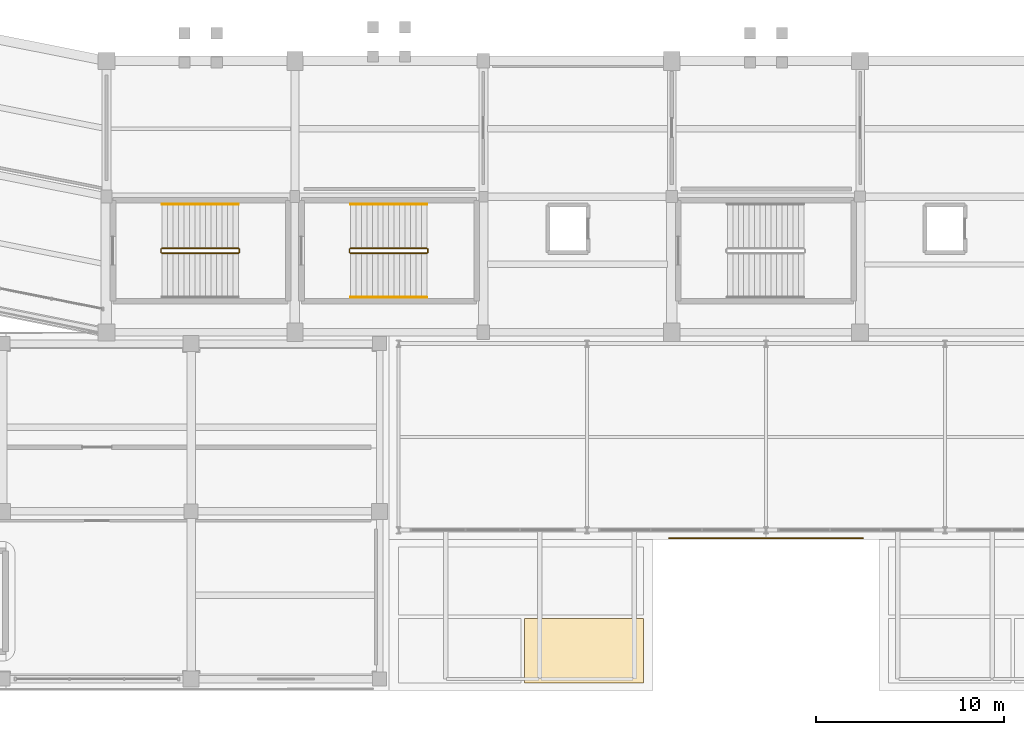
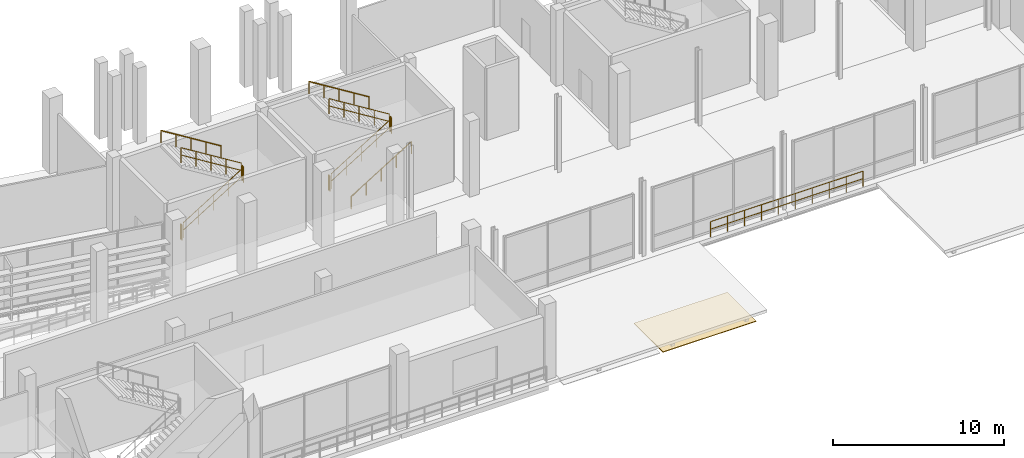
# One storey, part 95 of 114: 12 railings, 1 covering.
"""IFC4 building model written with IfcOpenShell, lengths in metres."""

from ifc_helpers import new_model, si_unit, direction, frame, origin, origin_2d, place, context, subcontext, project, spatial, polyline, circle, outline, extrude, material, layer, layer_set, type_object, element, save


model = new_model("IFC4")

# Units and contexts
model_context = context("Model", 3, precision=1e-05, world=origin(), true_north=direction((0.0, 1.0)))
body_context = subcontext(model_context, "Body", "Model", "MODEL_VIEW")
ifc_project = project(units=[si_unit("LENGTHUNIT", "METRE"), si_unit("AREAUNIT", "SQUARE_METRE"), si_unit("VOLUMEUNIT", "CUBIC_METRE"), si_unit("PLANEANGLEUNIT", "RADIAN"), si_unit("MASSUNIT", "GRAM", prefix="KILO")], contexts=[model_context])

# Site, building, storey
site_placement = place(None, origin())
site = spatial("IfcSite", under=ifc_project, at=site_placement, CompositionType="ELEMENT")
building_placement = place(site_placement, origin())
building = spatial("IfcBuilding", under=site, at=building_placement, Name="Candeia Ridge Stadium", CompositionType="ELEMENT")
storey_placement = place(building_placement, frame((0.0, 0.0, 5.39990234375)))
storey = spatial("IfcBuildingStorey", under=building, at=storey_placement, Name="L01", CompositionType="ELEMENT", Elevation=5.39990234375)

# Railings
ifc_material_1 = material(Name="Galvanized Powder-Coated Steel", Category="steel")
ifc_layer_1 = layer(ifc_material_1, 0.074951171875, Name="Galvanized Powder-Coated Steel", Category="steel")
ifc_layer_set_1 = layer_set([ifc_layer_1], Name="Galvanized Powder-Coated Steel")
railing_type_1 = type_object("IfcRailingType", Name="Spectator Bowl Front Guardrail 1120", PredefinedType="GUARDRAIL", material=ifc_layer_set_1)
railing_1_placement = place(storey_placement, frame((111.14990234375, 8.080078125, 0.0)))
element("IfcRailing", 1, at=railing_1_placement, inside=storey, type_object=railing_type_1, Name="Deck edge safety guardrail GR-DE-L01-0015", PredefinedType="GUARDRAIL", context=body_context, shape_type="SweptSolid", body=[
    extrude(circle(Radius=0.02392578125, at=origin_2d()), frame((0.0, 0.0, 1.09619140625), z_axis=(-1.0, 0.0, 0.0), x_axis=(0.0, -1.0, 0.0)), (0.0, 0.0, 1.0), 10.2998046875),
    extrude(circle(Radius=0.02392578125, at=origin_2d()), frame((0.0, 0.0, 0.56005859375), z_axis=(-1.0, 0.0, 0.0), x_axis=(0.0, -1.0, 0.0)), (0.0, 0.0, 1.0), 10.2998046875),
    extrude(circle(Radius=0.02099609375, at=origin_2d()), origin(), (0.0, 0.0, 1.0), 1.072021484375),
    extrude(circle(Radius=0.02099609375, at=origin_2d()), frame((-1.14453125, 0.0, 0.0)), (0.0, 0.0, 1.0), 1.072021484375),
    extrude(circle(Radius=0.02099609375, at=origin_2d()), frame((-2.288818359375, 0.0, 0.0)), (0.0, 0.0, 1.0), 1.072021484375),
    extrude(circle(Radius=0.02099609375, at=origin_2d()), frame((-3.433349609375, 0.0, 0.0)), (0.0, 0.0, 1.0), 1.072021484375),
    extrude(circle(Radius=0.02099609375, at=origin_2d()), frame((-4.57763671875, 0.0, 0.0)), (0.0, 0.0, 1.0), 1.072021484375),
    extrude(circle(Radius=0.02099609375, at=origin_2d()), frame((-5.72216796875, 0.0, 0.0)), (0.0, 0.0, 1.0), 1.072021484375),
    extrude(circle(Radius=0.02099609375, at=origin_2d()), frame((-6.866455078125, 0.0, 0.0)), (0.0, 0.0, 1.0), 1.072021484375),
    extrude(circle(Radius=0.02099609375, at=origin_2d()), frame((-8.010986328125, 0.0, 0.0)), (0.0, 0.0, 1.0), 1.072021484375),
    extrude(circle(Radius=0.02099609375, at=origin_2d()), frame((-9.1552734375, 0.0, 0.0)), (0.0, 0.0, 1.0), 1.072021484375),
    extrude(circle(Radius=0.02099609375, at=origin_2d()), frame((-10.2998046875, 0.0, 0.0)), (0.0, 0.0, 1.0), 1.072021484375),
])
ifc_material_2 = material(Name="Brushed Stainless Steel", Category="steel")
ifc_layer_2 = layer(ifc_material_2, 0.048095703125, Name="Brushed Stainless Steel", Category="steel")
ifc_layer_set_2 = layer_set([ifc_layer_2], Name="Brushed Stainless Steel")
railing_type_2 = type_object("IfcRailingType", Name="Stair Wall & Flight Handrail 900", PredefinedType="HANDRAIL", material=ifc_layer_set_2)
railing_2_placement = place(storey_placement, frame((78.010009765625, 25.800048828125, 2.880126953125)))
element("IfcRailing", 2, at=railing_2_placement, inside=storey, type_object=railing_type_2, Name="L01 ST02 stair handrail 2", PredefinedType="HANDRAIL", context=body_context, shape_type="SweptSolid", body=[
    extrude(circle(Radius=0.02392578125, at=origin_2d()), frame((0.0, 0.0, 0.8759765625), z_axis=(-0.849641744969, 0.0, 0.527360318194), x_axis=(0.0, -1.0, 0.0)), (0.0, 0.0, 1.0), 4.778564453125),
    extrude(circle(Radius=0.02099609375, at=origin_2d()), origin(), (0.0, 0.0, 1.0), 0.851806640625),
    extrude(circle(Radius=0.02099609375, at=origin_2d()), frame((-1.01513671875, 0.0, 0.6298828125)), (0.0, 0.0, 1.0), 0.851806640625),
    extrude(circle(Radius=0.02099609375, at=origin_2d()), frame((-2.030029296875, 0.0, 1.260009765625)), (0.0, 0.0, 1.0), 0.851806640625),
    extrude(circle(Radius=0.02099609375, at=origin_2d()), frame((-3.044921875, 0.0, 1.89013671875)), (0.0, 0.0, 1.0), 0.851806640625),
    extrude(circle(Radius=0.02099609375, at=origin_2d()), frame((-4.06005859375, 0.0, 2.52001953125)), (0.0, 0.0, 1.0), 0.851806640625),
])
railing_3_placement = place(storey_placement, frame((83.949951171875, 20.85009765625, 0.18017578125)))
element("IfcRailing", 3, at=railing_3_placement, inside=storey, type_object=railing_type_2, Name="L01 ST11 stair handrail 1", PredefinedType="HANDRAIL", context=body_context, shape_type="SweptSolid", body=[
    extrude(circle(Radius=0.02392578125, at=origin_2d()), frame((0.0, 0.0, 0.8759765625), z_axis=(0.849641744969, 0.0, 0.527360318194), x_axis=(0.0, 1.0, 0.0)), (0.0, 0.0, 1.0), 4.778564453125),
    extrude(circle(Radius=0.02099609375, at=origin_2d()), origin(), (0.0, 0.0, 1.0), 0.851806640625),
    extrude(circle(Radius=0.02099609375, at=origin_2d()), frame((1.01513671875, 0.0, 0.6298828125)), (0.0, 0.0, 1.0), 0.851806640625),
    extrude(circle(Radius=0.02099609375, at=origin_2d()), frame((2.030029296875, 0.0, 1.260009765625)), (0.0, 0.0, 1.0), 0.851806640625),
    extrude(circle(Radius=0.02099609375, at=origin_2d()), frame((3.044921875, 0.0, 1.89013671875)), (0.0, 0.0, 1.0), 0.851806640625),
    extrude(circle(Radius=0.02099609375, at=origin_2d()), frame((4.06005859375, 0.0, 2.52001953125)), (0.0, 0.0, 1.0), 0.851806640625),
])
railing_4_placement = place(storey_placement, frame((88.010009765625, 25.800048828125, 2.880126953125)))
element("IfcRailing", 4, at=railing_4_placement, inside=storey, type_object=railing_type_2, Name="L01 ST11 stair handrail 2", PredefinedType="HANDRAIL", context=body_context, shape_type="SweptSolid", body=[
    extrude(circle(Radius=0.02392578125, at=origin_2d()), frame((0.0, 0.0, 0.8759765625), z_axis=(-0.849641744969, 0.0, 0.527360318194), x_axis=(0.0, -1.0, 0.0)), (0.0, 0.0, 1.0), 4.778564453125),
    extrude(circle(Radius=0.02099609375, at=origin_2d()), origin(), (0.0, 0.0, 1.0), 0.851806640625),
    extrude(circle(Radius=0.02099609375, at=origin_2d()), frame((-1.01513671875, 0.0, 0.6298828125)), (0.0, 0.0, 1.0), 0.851806640625),
    extrude(circle(Radius=0.02099609375, at=origin_2d()), frame((-2.030029296875, 0.0, 1.260009765625)), (0.0, 0.0, 1.0), 0.851806640625),
    extrude(circle(Radius=0.02099609375, at=origin_2d()), frame((-3.044921875, 0.0, 1.89013671875)), (0.0, 0.0, 1.0), 0.851806640625),
    extrude(circle(Radius=0.02099609375, at=origin_2d()), frame((-4.06005859375, 0.0, 2.52001953125)), (0.0, 0.0, 1.0), 0.851806640625),
])
ifc_layer_3 = layer(ifc_material_1, 0.06005859375, Name="Galvanized Powder-Coated Steel", Category="steel")
ifc_layer_set_3 = layer_set([ifc_layer_3], Name="Galvanized Powder-Coated Steel")
railing_type_3 = type_object("IfcRailingType", Name="Stair Well Guardrail 1100", PredefinedType="GUARDRAIL", material=ifc_layer_set_3)
railing_5_placement = place(storey_placement, frame((73.949951171875, 23.199951171875, 0.18017578125)))
element("IfcRailing", 5, at=railing_5_placement, inside=storey, type_object=railing_type_3, Name="L01 ST02 stair guard 1", PredefinedType="GUARDRAIL", context=body_context, shape_type="SweptSolid", body=[
    extrude(circle(Radius=0.02392578125, at=origin_2d()), frame((0.0, 0.0, 1.076171875), z_axis=(0.849641744969, 0.0, 0.527360318194), x_axis=(0.0, 1.0, 0.0)), (0.0, 0.0, 1.0), 4.778564453125),
    extrude(circle(Radius=0.02392578125, at=origin_2d()), frame((0.0, 0.0, 0.550048828125), z_axis=(0.849641744969, 0.0, 0.527360318194), x_axis=(0.0, 1.0, 0.0)), (0.0, 0.0, 1.0), 4.778564453125),
    extrude(circle(Radius=0.02099609375, at=origin_2d()), origin(), (0.0, 0.0, 1.0), 1.052001953125),
    extrude(circle(Radius=0.02099609375, at=origin_2d()), frame((1.01513671875, 0.0, 0.6298828125)), (0.0, 0.0, 1.0), 1.052001953125),
    extrude(circle(Radius=0.02099609375, at=origin_2d()), frame((2.030029296875, 0.0, 1.260009765625)), (0.0, 0.0, 1.0), 1.052001953125),
    extrude(circle(Radius=0.02099609375, at=origin_2d()), frame((3.044921875, 0.0, 1.89013671875)), (0.0, 0.0, 1.0), 1.052001953125),
    extrude(circle(Radius=0.02099609375, at=origin_2d()), frame((4.06005859375, 0.0, 2.52001953125)), (0.0, 0.0, 1.0), 1.052001953125),
])
railing_6_placement = place(storey_placement, frame((78.06005859375, 23.25, 2.7001953125)))
element("IfcRailing", 6, at=railing_6_placement, inside=storey, type_object=railing_type_3, Name="L01 ST02 stair guard 2", PredefinedType="GUARDRAIL", context=body_context, shape_type="SweptSolid", body=[
    extrude(circle(Radius=0.02392578125, at=origin_2d()), frame((0.0, 0.0, 1.076171875), z_axis=(0.0, 1.0, 0.0), x_axis=(-1.0, 0.0, 0.0)), (0.0, 0.0, 1.0), 0.14990234375),
    extrude(circle(Radius=0.02392578125, at=origin_2d()), frame((0.0, 0.0, 0.550048828125), z_axis=(0.0, 1.0, 0.0), x_axis=(-1.0, 0.0, 0.0)), (0.0, 0.0, 1.0), 0.14990234375),
    extrude(circle(Radius=0.02099609375, at=origin_2d()), origin(), (0.0, 0.0, 1.0), 1.052001953125),
    extrude(circle(Radius=0.02099609375, at=origin_2d()), frame((0.0, 0.14990234375, 0.0)), (0.0, 0.0, 1.0), 1.052001953125),
])
railing_7_placement = place(storey_placement, frame((78.010009765625, 23.449951171875, 2.880126953125)))
element("IfcRailing", 7, at=railing_7_placement, inside=storey, type_object=railing_type_3, Name="L01 ST02 stair guard 3", PredefinedType="GUARDRAIL", context=body_context, shape_type="SweptSolid", body=[
    extrude(circle(Radius=0.02392578125, at=origin_2d()), frame((0.0, 0.0, 1.076171875), z_axis=(-0.849641744969, 0.0, 0.527360318194), x_axis=(0.0, -1.0, 0.0)), (0.0, 0.0, 1.0), 4.778564453125),
    extrude(circle(Radius=0.02392578125, at=origin_2d()), frame((0.0, 0.0, 0.550048828125), z_axis=(-0.849641744969, 0.0, 0.527360318194), x_axis=(0.0, -1.0, 0.0)), (0.0, 0.0, 1.0), 4.778564453125),
    extrude(circle(Radius=0.02099609375, at=origin_2d()), origin(), (0.0, 0.0, 1.0), 1.052001953125),
    extrude(circle(Radius=0.02099609375, at=origin_2d()), frame((-1.01513671875, 0.0, 0.6298828125)), (0.0, 0.0, 1.0), 1.052001953125),
    extrude(circle(Radius=0.02099609375, at=origin_2d()), frame((-2.030029296875, 0.0, 1.260009765625)), (0.0, 0.0, 1.0), 1.052001953125),
    extrude(circle(Radius=0.02099609375, at=origin_2d()), frame((-3.044921875, 0.0, 1.89013671875)), (0.0, 0.0, 1.0), 1.052001953125),
    extrude(circle(Radius=0.02099609375, at=origin_2d()), frame((-4.06005859375, 0.0, 2.52001953125)), (0.0, 0.0, 1.0), 1.052001953125),
])
railing_8_placement = place(storey_placement, frame((73.89990234375, 23.25, 0.0)))
element("IfcRailing", 8, at=railing_8_placement, inside=storey, type_object=railing_type_3, Name="L01 ST02 stair guard 4", PredefinedType="GUARDRAIL", context=body_context, shape_type="SweptSolid", body=[
    extrude(circle(Radius=0.02392578125, at=origin_2d()), frame((0.0, 0.0, 1.076171875), z_axis=(0.0, 1.0, 0.0), x_axis=(-1.0, 0.0, 0.0)), (0.0, 0.0, 1.0), 0.14990234375),
    extrude(circle(Radius=0.02392578125, at=origin_2d()), frame((0.0, 0.0, 0.550048828125), z_axis=(0.0, 1.0, 0.0), x_axis=(-1.0, 0.0, 0.0)), (0.0, 0.0, 1.0), 0.14990234375),
    extrude(circle(Radius=0.02099609375, at=origin_2d()), origin(), (0.0, 0.0, 1.0), 1.052001953125),
    extrude(circle(Radius=0.02099609375, at=origin_2d()), frame((0.0, 0.14990234375, 0.0)), (0.0, 0.0, 1.0), 1.052001953125),
])
railing_9_placement = place(storey_placement, frame((83.949951171875, 23.199951171875, 0.18017578125)))
element("IfcRailing", 9, at=railing_9_placement, inside=storey, type_object=railing_type_3, Name="L01 ST11 stair guard 1", PredefinedType="GUARDRAIL", context=body_context, shape_type="SweptSolid", body=[
    extrude(circle(Radius=0.02392578125, at=origin_2d()), frame((0.0, 0.0, 1.076171875), z_axis=(0.849641744969, 0.0, 0.527360318194), x_axis=(0.0, 1.0, 0.0)), (0.0, 0.0, 1.0), 4.778564453125),
    extrude(circle(Radius=0.02392578125, at=origin_2d()), frame((0.0, 0.0, 0.550048828125), z_axis=(0.849641744969, 0.0, 0.527360318194), x_axis=(0.0, 1.0, 0.0)), (0.0, 0.0, 1.0), 4.778564453125),
    extrude(circle(Radius=0.02099609375, at=origin_2d()), origin(), (0.0, 0.0, 1.0), 1.052001953125),
    extrude(circle(Radius=0.02099609375, at=origin_2d()), frame((1.01513671875, 0.0, 0.6298828125)), (0.0, 0.0, 1.0), 1.052001953125),
    extrude(circle(Radius=0.02099609375, at=origin_2d()), frame((2.030029296875, 0.0, 1.260009765625)), (0.0, 0.0, 1.0), 1.052001953125),
    extrude(circle(Radius=0.02099609375, at=origin_2d()), frame((3.044921875, 0.0, 1.89013671875)), (0.0, 0.0, 1.0), 1.052001953125),
    extrude(circle(Radius=0.02099609375, at=origin_2d()), frame((4.06005859375, 0.0, 2.52001953125)), (0.0, 0.0, 1.0), 1.052001953125),
])
railing_10_placement = place(storey_placement, frame((88.06005859375, 23.25, 2.7001953125)))
element("IfcRailing", 10, at=railing_10_placement, inside=storey, type_object=railing_type_3, Name="L01 ST11 stair guard 2", PredefinedType="GUARDRAIL", context=body_context, shape_type="SweptSolid", body=[
    extrude(circle(Radius=0.02392578125, at=origin_2d()), frame((0.0, 0.0, 1.076171875), z_axis=(0.0, 1.0, 0.0), x_axis=(-1.0, 0.0, 0.0)), (0.0, 0.0, 1.0), 0.14990234375),
    extrude(circle(Radius=0.02392578125, at=origin_2d()), frame((0.0, 0.0, 0.550048828125), z_axis=(0.0, 1.0, 0.0), x_axis=(-1.0, 0.0, 0.0)), (0.0, 0.0, 1.0), 0.14990234375),
    extrude(circle(Radius=0.02099609375, at=origin_2d()), origin(), (0.0, 0.0, 1.0), 1.052001953125),
    extrude(circle(Radius=0.02099609375, at=origin_2d()), frame((0.0, 0.14990234375, 0.0)), (0.0, 0.0, 1.0), 1.052001953125),
])
railing_11_placement = place(storey_placement, frame((88.010009765625, 23.449951171875, 2.880126953125)))
element("IfcRailing", 11, at=railing_11_placement, inside=storey, type_object=railing_type_3, Name="L01 ST11 stair guard 3", PredefinedType="GUARDRAIL", context=body_context, shape_type="SweptSolid", body=[
    extrude(circle(Radius=0.02392578125, at=origin_2d()), frame((0.0, 0.0, 1.076171875), z_axis=(-0.849641744969, 0.0, 0.527360318194), x_axis=(0.0, -1.0, 0.0)), (0.0, 0.0, 1.0), 4.778564453125),
    extrude(circle(Radius=0.02392578125, at=origin_2d()), frame((0.0, 0.0, 0.550048828125), z_axis=(-0.849641744969, 0.0, 0.527360318194), x_axis=(0.0, -1.0, 0.0)), (0.0, 0.0, 1.0), 4.778564453125),
    extrude(circle(Radius=0.02099609375, at=origin_2d()), origin(), (0.0, 0.0, 1.0), 1.052001953125),
    extrude(circle(Radius=0.02099609375, at=origin_2d()), frame((-1.01513671875, 0.0, 0.6298828125)), (0.0, 0.0, 1.0), 1.052001953125),
    extrude(circle(Radius=0.02099609375, at=origin_2d()), frame((-2.030029296875, 0.0, 1.260009765625)), (0.0, 0.0, 1.0), 1.052001953125),
    extrude(circle(Radius=0.02099609375, at=origin_2d()), frame((-3.044921875, 0.0, 1.89013671875)), (0.0, 0.0, 1.0), 1.052001953125),
    extrude(circle(Radius=0.02099609375, at=origin_2d()), frame((-4.06005859375, 0.0, 2.52001953125)), (0.0, 0.0, 1.0), 1.052001953125),
])
railing_12_placement = place(storey_placement, frame((83.89990234375, 23.25, 0.0)))
element("IfcRailing", 12, at=railing_12_placement, inside=storey, type_object=railing_type_3, Name="L01 ST11 stair guard 4", PredefinedType="GUARDRAIL", context=body_context, shape_type="SweptSolid", body=[
    extrude(circle(Radius=0.02392578125, at=origin_2d()), frame((0.0, 0.0, 1.076171875), z_axis=(0.0, 1.0, 0.0), x_axis=(-1.0, 0.0, 0.0)), (0.0, 0.0, 1.0), 0.14990234375),
    extrude(circle(Radius=0.02392578125, at=origin_2d()), frame((0.0, 0.0, 0.550048828125), z_axis=(0.0, 1.0, 0.0), x_axis=(-1.0, 0.0, 0.0)), (0.0, 0.0, 1.0), 0.14990234375),
    extrude(circle(Radius=0.02099609375, at=origin_2d()), origin(), (0.0, 0.0, 1.0), 1.052001953125),
    extrude(circle(Radius=0.02099609375, at=origin_2d()), frame((0.0, 0.14990234375, 0.0)), (0.0, 0.0, 1.0), 1.052001953125),
])

# Covering
ifc_material_3 = material(Name="Western Red Cedar Timber", Category="wood")
ifc_layer_4 = layer(ifc_material_3, 0.0400390625, Name="Western Red Cedar Timber", Category="wood")
ifc_layer_set_4 = layer_set([ifc_layer_4], Name="Western Red Cedar Timber")
covering_type = type_object("IfcCoveringType", Name="Western Red Cedar Exterior Soffit Cladding", PredefinedType="CLADDING", material=ifc_layer_set_4)
covering_placement = place(storey_placement, frame((0.0, 0.0, -0.919921875)))
element("IfcCovering", 13, at=covering_placement, inside=storey, type_object=covering_type, Name="Western red cedar canopy soffit cladding 02", PredefinedType="CLADDING", context=body_context, shape_type="SweptSolid", body=[
    extrude(outline(polyline([(93.199951171875, 0.39990234375), (99.5, 0.39990234375), (99.5, 3.800048828125), (93.199951171875, 3.800048828125), (93.199951171875, 0.39990234375)])), origin(), (0.0, 0.0, 1.0), 0.044921875),
])

save(model, "model.ifc")
